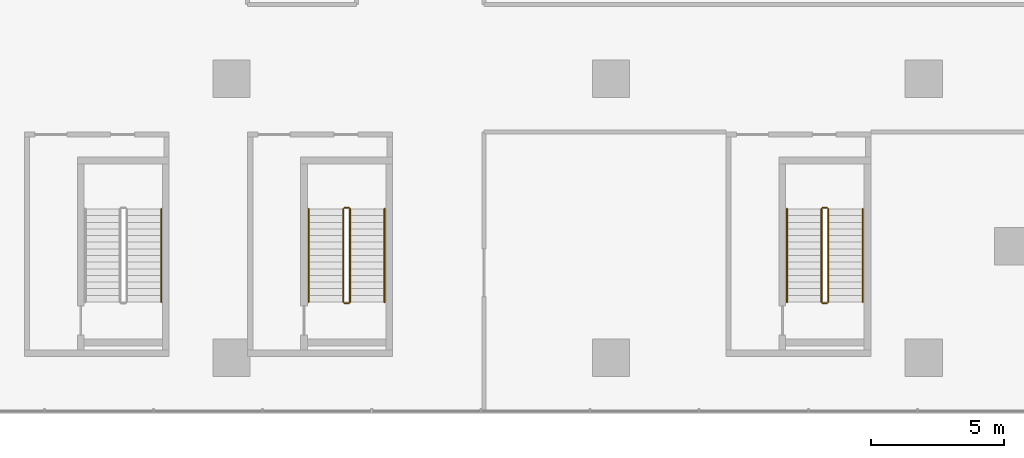
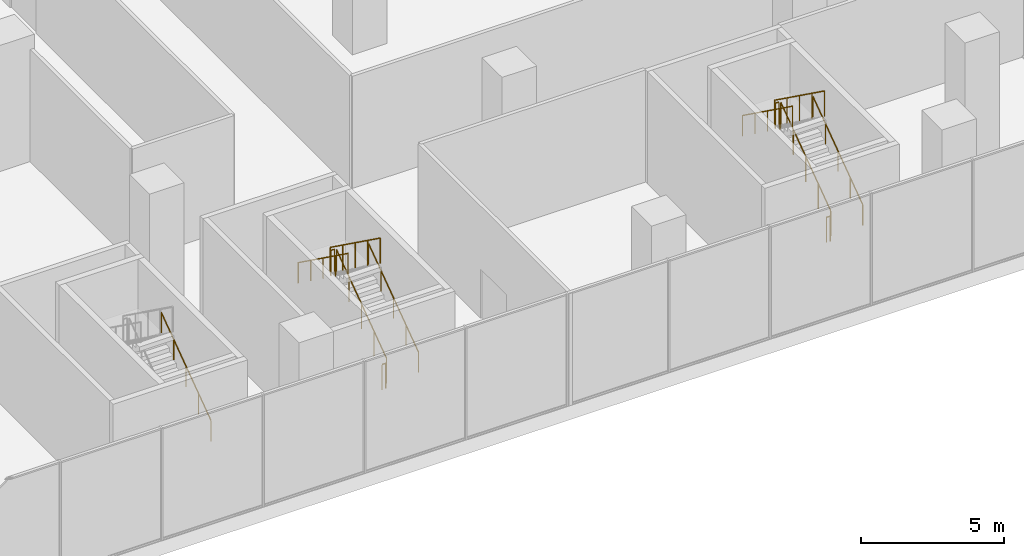
# One storey, part 20 of 23: 13 railings.
"""IFC4 building model written with IfcOpenShell, lengths in metres."""

from ifc_helpers import new_model, si_unit, direction, frame, origin, origin_2d, place, context, subcontext, project, spatial, circle, extrude, source, transform, mapped, material, type_object, element, save


model = new_model("IFC4")

# Units and contexts
model_context = context("Model", 3, precision=1e-05, world=origin(), true_north=direction((0.0, 1.0)))
body_context = subcontext(model_context, "Body", "Model", "MODEL_VIEW")
ifc_project = project(units=[si_unit("LENGTHUNIT", "METRE"), si_unit("AREAUNIT", "SQUARE_METRE"), si_unit("VOLUMEUNIT", "CUBIC_METRE"), si_unit("PLANEANGLEUNIT", "RADIAN"), si_unit("MASSUNIT", "GRAM", prefix="KILO")], contexts=[model_context])

# Site, building, storey
site_placement = place(None, origin())
site = spatial("IfcSite", under=ifc_project, at=site_placement, CompositionType="ELEMENT")
building_placement = place(site_placement, origin())
building = spatial("IfcBuilding", under=site, at=building_placement, Name="Aurelian Terraces", CompositionType="ELEMENT")
storey_placement = place(building_placement, frame((0.0, 0.0, 23.7)))
storey = spatial("IfcBuildingStorey", under=building, at=storey_placement, Name="L04", CompositionType="ELEMENT", Elevation=23.7)

# Railings
ifc_material = material(Name="Stainless steel", Category="steel")
railing_type_1 = type_object("IfcRailingType", Name="Stair guard 1100", PredefinedType="GUARDRAIL", material=ifc_material)
shared_shape_1 = source(origin(), body_context, "Body", "SweptSolid", [
    extrude(circle(Radius=0.024, at=origin_2d()), frame((0.0, 0.0, 1.076), z_axis=(-1.0, 0.0, 0.0), x_axis=(0.0, -1.0, 0.0)), (0.0, 0.0, 1.0), 0.15),
    extrude(circle(Radius=0.021, at=origin_2d()), origin(), (0.0, 0.0, 1.0), 1.052),
    extrude(circle(Radius=0.021, at=origin_2d()), frame((-0.15, 0.0, 0.0)), (0.0, 0.0, 1.0), 1.052),
])
for number, where, name in (
    (1, (42.2, 5.65, 2.7), "L04 S2 stair guard 2"),
    (2, (42.2, 2.05, 0.0), "L04 S2 stair guard 4"),
    (3, (60.2, 5.65, 2.7), "L04 S6 stair guard 2"),
    (4, (60.2, 2.05, 0.0), "L04 S6 stair guard 4"),
):
    element("IfcRailing", number, at=place(storey_placement, frame(where)), inside=storey, type_object=railing_type_1, Name=name, PredefinedType="GUARDRAIL", context=body_context, shape_type="MappedRepresentation", body=[
        mapped(shared_shape_1, transform((0.0, 0.0, 0.0), scale=1.0)),
    ])
shared_shape_2 = source(origin(), body_context, "Body", "SweptSolid", [
    extrude(circle(Radius=0.024, at=origin_2d()), frame((0.0, 0.0, 1.076), z_axis=(0.0, 0.811534341451, 0.584304725845), x_axis=(-1.0, 0.0, 0.0)), (0.0, 0.0, 1.0), 4.3128),
    extrude(circle(Radius=0.021, at=origin_2d()), origin(), (0.0, 0.0, 1.0), 1.052),
    extrude(circle(Radius=0.021, at=origin_2d()), frame((0.0, 0.875, 0.63)), (0.0, 0.0, 1.0), 1.052),
    extrude(circle(Radius=0.021, at=origin_2d()), frame((0.0, 1.75, 1.26)), (0.0, 0.0, 1.0), 1.052),
    extrude(circle(Radius=0.021, at=origin_2d()), frame((0.0, 2.625, 1.89)), (0.0, 0.0, 1.0), 1.052),
    extrude(circle(Radius=0.021, at=origin_2d()), frame((0.0, 3.5, 2.52)), (0.0, 0.0, 1.0), 1.052),
])
for number, where, name in (
    (5, (42.25, 2.1, 0.18), "L04 S2 stair guard 1"),
    (6, (60.25, 2.1, 0.18), "L04 S6 stair guard 1"),
):
    element("IfcRailing", number, at=place(storey_placement, frame(where)), inside=storey, type_object=railing_type_1, Name=name, PredefinedType="GUARDRAIL", context=body_context, shape_type="MappedRepresentation", body=[
        mapped(shared_shape_2, transform((0.0, 0.0, 0.0), scale=1.0)),
    ])
shared_shape_3 = source(origin(), body_context, "Body", "SweptSolid", [
    extrude(circle(Radius=0.024, at=origin_2d()), frame((0.0, 0.0, 1.076), z_axis=(0.0, -0.811534341451, 0.584304725845), x_axis=(1.0, 0.0, 0.0)), (0.0, 0.0, 1.0), 4.3128),
    extrude(circle(Radius=0.021, at=origin_2d()), origin(), (0.0, 0.0, 1.0), 1.052),
    extrude(circle(Radius=0.021, at=origin_2d()), frame((0.0, -0.875, 0.63)), (0.0, 0.0, 1.0), 1.052),
    extrude(circle(Radius=0.021, at=origin_2d()), frame((0.0, -1.75, 1.26)), (0.0, 0.0, 1.0), 1.052),
    extrude(circle(Radius=0.021, at=origin_2d()), frame((0.0, -2.625, 1.89)), (0.0, 0.0, 1.0), 1.052),
    extrude(circle(Radius=0.021, at=origin_2d()), frame((0.0, -3.5, 2.52)), (0.0, 0.0, 1.0), 1.052),
])
for number, where, name in (
    (7, (42.0, 5.6, 2.88), "L04 S2 stair guard 3"),
    (8, (60.0, 5.6, 2.88), "L04 S6 stair guard 3"),
):
    element("IfcRailing", number, at=place(storey_placement, frame(where)), inside=storey, type_object=railing_type_1, Name=name, PredefinedType="GUARDRAIL", context=body_context, shape_type="MappedRepresentation", body=[
        mapped(shared_shape_3, transform((0.0, 0.0, 0.0), scale=1.0)),
    ])
railing_type_2 = type_object("IfcRailingType", Name="Stair handrail", PredefinedType="HANDRAIL", material=ifc_material)
shared_shape_4 = source(origin(), body_context, "Body", "SweptSolid", [
    extrude(circle(Radius=0.024, at=origin_2d()), frame((0.0, 0.0, 0.876), z_axis=(0.0, 0.811534341451, 0.584304725845), x_axis=(-1.0, 0.0, 0.0)), (0.0, 0.0, 1.0), 4.3128),
    extrude(circle(Radius=0.021, at=origin_2d()), origin(), (0.0, 0.0, 1.0), 0.852),
    extrude(circle(Radius=0.021, at=origin_2d()), frame((0.0, 0.875, 0.63)), (0.0, 0.0, 1.0), 0.852),
    extrude(circle(Radius=0.021, at=origin_2d()), frame((0.0, 1.75, 1.26)), (0.0, 0.0, 1.0), 0.852),
    extrude(circle(Radius=0.021, at=origin_2d()), frame((0.0, 2.625, 1.89)), (0.0, 0.0, 1.0), 0.852),
    extrude(circle(Radius=0.021, at=origin_2d()), frame((0.0, 3.5, 2.52)), (0.0, 0.0, 1.0), 0.852),
])
for number, where, name in (
    (9, (43.55, 2.1, 0.18), "L04 S2 stair handrail 1"),
    (10, (61.55, 2.1, 0.18), "L04 S6 stair handrail 1"),
    (11, (35.15, 2.1, 0.18), "L04 S7 stair handrail 1"),
):
    element("IfcRailing", number, at=place(storey_placement, frame(where)), inside=storey, type_object=railing_type_2, Name=name, PredefinedType="HANDRAIL", context=body_context, shape_type="MappedRepresentation", body=[
        mapped(shared_shape_4, transform((0.0, 0.0, 0.0), scale=1.0)),
    ])
shared_shape_5 = source(origin(), body_context, "Body", "SweptSolid", [
    extrude(circle(Radius=0.024, at=origin_2d()), frame((0.0, 0.0, 0.876), z_axis=(0.0, -0.811534341451, 0.584304725845), x_axis=(1.0, 0.0, 0.0)), (0.0, 0.0, 1.0), 4.3128),
    extrude(circle(Radius=0.021, at=origin_2d()), origin(), (0.0, 0.0, 1.0), 0.852),
    extrude(circle(Radius=0.021, at=origin_2d()), frame((0.0, -0.875, 0.63)), (0.0, 0.0, 1.0), 0.852),
    extrude(circle(Radius=0.021, at=origin_2d()), frame((0.0, -1.75, 1.26)), (0.0, 0.0, 1.0), 0.852),
    extrude(circle(Radius=0.021, at=origin_2d()), frame((0.0, -2.625, 1.89)), (0.0, 0.0, 1.0), 0.852),
    extrude(circle(Radius=0.021, at=origin_2d()), frame((0.0, -3.5, 2.52)), (0.0, 0.0, 1.0), 0.852),
])
for number, where, name in (
    (12, (40.7, 5.6, 2.88), "L04 S2 stair handrail 2"),
    (13, (58.7, 5.6, 2.88), "L04 S6 stair handrail 2"),
):
    element("IfcRailing", number, at=place(storey_placement, frame(where)), inside=storey, type_object=railing_type_2, Name=name, PredefinedType="HANDRAIL", context=body_context, shape_type="MappedRepresentation", body=[
        mapped(shared_shape_5, transform((0.0, 0.0, 0.0), scale=1.0)),
    ])

save(model, "model.ifc")
